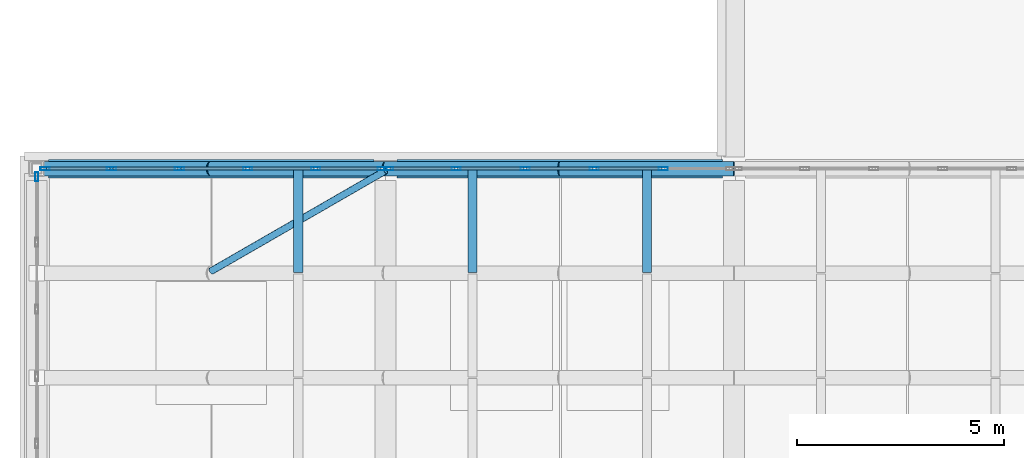
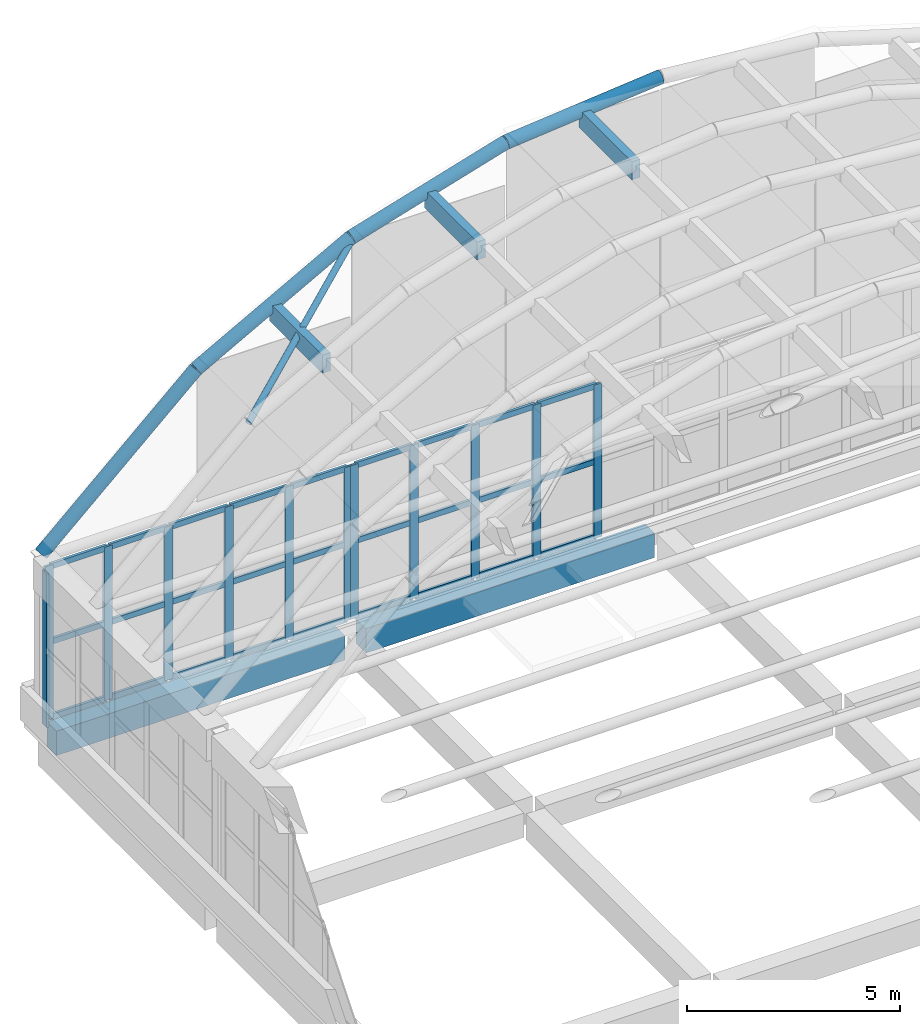
# One storey, part 15 of 26: 43 members, 6 beams, 3 elements without a shape of their own.
"""IFC4 building model written with IfcOpenShell, lengths in metres."""

from ifc_helpers import new_model, si_unit, direction, frame, origin, origin_2d, place, context, subcontext, project, spatial, rectangle, hollow_rectangle, hollow_circle, extrude, material, layer, layer_set, material_profile, profile_set, type_object, element, aggregate, save


model = new_model("IFC4")

# Units and contexts
model_context = context("Model", 3, precision=1e-05, world=origin(), true_north=direction((0.0, 1.0)))
body_context = subcontext(model_context, "Body", "Model", "MODEL_VIEW")
ifc_project = project(units=[si_unit("LENGTHUNIT", "METRE"), si_unit("AREAUNIT", "SQUARE_METRE"), si_unit("VOLUMEUNIT", "CUBIC_METRE"), si_unit("PLANEANGLEUNIT", "RADIAN"), si_unit("MASSUNIT", "GRAM", prefix="KILO")], contexts=[model_context])

# Site, building, storey
site_placement = place(None, origin())
site = spatial("IfcSite", under=ifc_project, at=site_placement, CompositionType="ELEMENT")
building_placement = place(site_placement, origin())
building = spatial("IfcBuilding", under=site, at=building_placement, Name="Xazarin Passage Department Store", CompositionType="ELEMENT")
storey_placement = place(building_placement, frame((0.0, 0.0, 36.89990234375)))
storey = spatial("IfcBuildingStorey", under=building, at=storey_placement, Name="RF", CompositionType="ELEMENT", Elevation=36.89990234375)

# Curtain wall, member
ifc_material_1 = material(Name="Bronze anodised aluminium", Category="aluminium")
ifc_layer = layer(ifc_material_1, 0.199951171875)
ifc_layer_set = layer_set([ifc_layer], Name="Bronze anodised aluminium")
curtain_wall_type = type_object("IfcCurtainWallType", Name="ARC-CW-VIT2", PredefinedType="NOTDEFINED", material=ifc_layer_set)
curtain_wall_1_placement = place(storey_placement, origin())
curtain_wall_1 = element("IfcCurtainWall", 1, at=curtain_wall_1_placement, inside=storey, type_object=curtain_wall_type, Name="RF V1 Atrium Lantern Curtain Wall 05", PredefinedType="NOTDEFINED")
ifc_material_profile_1 = material_profile(ifc_material_1, hollow_rectangle(XDim=0.074951171875, YDim=0.219970703125, WallThickness=0.0048828125, at=origin_2d()), Name="ALU 75x220")
ifc_profile_set_1 = profile_set([ifc_material_profile_1], Name="Bronze anodised aluminium")
member_type_1 = type_object("IfcMemberType", Name="ARC-CWM-75x220", PredefinedType="MULLION", material=ifc_profile_set_1)
member_1_placement = place(storey_placement, frame((0.0, 101.402587890625, 0.0), z_axis=(0.0, 0.0, 1.0), x_axis=(-1.0, 0.0, 0.0)))
member_1 = element("IfcMember", 2, at=member_1_placement, type_object=member_type_1, Name="CW2 mullion 6", PredefinedType="MULLION", context=body_context, shape_type="SweptSolid", body=[
    extrude(hollow_rectangle(XDim=0.074951171875, YDim=0.219970703125, WallThickness=0.0048828125, at=origin_2d()), origin(), (0.0, 0.0, 1.0), 4.404296875),
])
aggregate(curtain_wall_1, [member_1])

# Curtain wall, members
curtain_wall_2_placement = place(storey_placement, origin())
curtain_wall_2 = element("IfcCurtainWall", 3, at=curtain_wall_2_placement, inside=storey, type_object=curtain_wall_type, Name="RF V1 Atrium Lantern Curtain Wall 08", PredefinedType="NOTDEFINED")
member_2_placement = place(storey_placement, frame((0.197509765625, 101.60009765625, 0.0), z_axis=(0.0, 0.0, 1.0), x_axis=(0.0, 1.0, 0.0)))
member_2 = element("IfcMember", 4, at=member_2_placement, type_object=member_type_1, Name="CW2 mullion 1", PredefinedType="MULLION", context=body_context, shape_type="SweptSolid", body=[
    extrude(hollow_rectangle(XDim=0.074951171875, YDim=0.219970703125, WallThickness=0.0048828125, at=origin_2d()), origin(), (0.0, 0.0, 1.0), 4.404296875),
])
member_3_placement = place(storey_placement, frame((1.800048828125, 101.60009765625, 0.0), z_axis=(0.0, 0.0, 1.0), x_axis=(0.0, 1.0, 0.0)))
member_3 = element("IfcMember", 5, at=member_3_placement, type_object=member_type_1, Name="CW2 mullion 2", PredefinedType="MULLION", context=body_context, shape_type="SweptSolid", body=[
    extrude(hollow_rectangle(XDim=0.074951171875, YDim=0.219970703125, WallThickness=0.0048828125, at=origin_2d()), origin(), (0.0, 0.0, 1.0), 4.404296875),
])
member_4_placement = place(storey_placement, frame((3.43994140625, 101.60009765625, 0.0), z_axis=(0.0, 0.0, 1.0), x_axis=(0.0, 1.0, 0.0)))
member_4 = element("IfcMember", 6, at=member_4_placement, type_object=member_type_1, Name="CW2 mullion 3", PredefinedType="MULLION", context=body_context, shape_type="SweptSolid", body=[
    extrude(hollow_rectangle(XDim=0.074951171875, YDim=0.219970703125, WallThickness=0.0048828125, at=origin_2d()), origin(), (0.0, 0.0, 1.0), 4.404296875),
])
member_5_placement = place(storey_placement, frame((5.080078125, 101.60009765625, 0.0), z_axis=(0.0, 0.0, 1.0), x_axis=(0.0, 1.0, 0.0)))
member_5 = element("IfcMember", 7, at=member_5_placement, type_object=member_type_1, Name="CW2 mullion 4", PredefinedType="MULLION", context=body_context, shape_type="SweptSolid", body=[
    extrude(hollow_rectangle(XDim=0.074951171875, YDim=0.219970703125, WallThickness=0.0048828125, at=origin_2d()), origin(), (0.0, 0.0, 1.0), 4.404296875),
])
member_6_placement = place(storey_placement, frame((6.719970703125, 101.60009765625, 0.0), z_axis=(0.0, 0.0, 1.0), x_axis=(0.0, 1.0, 0.0)))
member_6 = element("IfcMember", 8, at=member_6_placement, type_object=member_type_1, Name="CW2 mullion 5", PredefinedType="MULLION", context=body_context, shape_type="SweptSolid", body=[
    extrude(hollow_rectangle(XDim=0.074951171875, YDim=0.219970703125, WallThickness=0.0048828125, at=origin_2d()), origin(), (0.0, 0.0, 1.0), 4.404296875),
])
member_7_placement = place(storey_placement, frame((8.322509765625, 101.60009765625, 0.0), z_axis=(0.0, 0.0, 1.0), x_axis=(0.0, 1.0, 0.0)))
member_7 = element("IfcMember", 9, at=member_7_placement, type_object=member_type_1, Name="CW2 mullion 6", PredefinedType="MULLION", context=body_context, shape_type="SweptSolid", body=[
    extrude(hollow_rectangle(XDim=0.074951171875, YDim=0.219970703125, WallThickness=0.0048828125, at=origin_2d()), origin(), (0.0, 0.0, 1.0), 4.404296875),
])

curtain_wall_3_placement = place(storey_placement, origin())
curtain_wall_3 = element("IfcCurtainWall", 10, at=curtain_wall_3_placement, inside=storey, type_object=curtain_wall_type, Name="RF V1 Atrium Lantern Curtain Wall 10", PredefinedType="NOTDEFINED")
member_8_placement = place(storey_placement, frame((8.4775390625, 101.60009765625, 0.0), z_axis=(0.0, 0.0, 1.0), x_axis=(0.0, 1.0, 0.0)))
member_8 = element("IfcMember", 11, at=member_8_placement, type_object=member_type_1, Name="CW2 mullion 1", PredefinedType="MULLION", context=body_context, shape_type="SweptSolid", body=[
    extrude(hollow_rectangle(XDim=0.074951171875, YDim=0.219970703125, WallThickness=0.0048828125, at=origin_2d()), origin(), (0.0, 0.0, 1.0), 4.404296875),
])
member_9_placement = place(storey_placement, frame((10.10400390625, 101.60009765625, 0.0), z_axis=(0.0, 0.0, 1.0), x_axis=(0.0, 1.0, 0.0)))
member_9 = element("IfcMember", 12, at=member_9_placement, type_object=member_type_1, Name="CW2 mullion 2", PredefinedType="MULLION", context=body_context, shape_type="SweptSolid", body=[
    extrude(hollow_rectangle(XDim=0.074951171875, YDim=0.219970703125, WallThickness=0.0048828125, at=origin_2d()), origin(), (0.0, 0.0, 1.0), 4.404296875),
])
member_10_placement = place(storey_placement, frame((11.76806640625, 101.60009765625, 0.0), z_axis=(0.0, 0.0, 1.0), x_axis=(0.0, 1.0, 0.0)))
member_10 = element("IfcMember", 13, at=member_10_placement, type_object=member_type_1, Name="CW2 mullion 3", PredefinedType="MULLION", context=body_context, shape_type="SweptSolid", body=[
    extrude(hollow_rectangle(XDim=0.074951171875, YDim=0.219970703125, WallThickness=0.0048828125, at=origin_2d()), origin(), (0.0, 0.0, 1.0), 4.404296875),
])
member_11_placement = place(storey_placement, frame((13.431884765625, 101.60009765625, 0.0), z_axis=(0.0, 0.0, 1.0), x_axis=(0.0, 1.0, 0.0)))
member_11 = element("IfcMember", 14, at=member_11_placement, type_object=member_type_1, Name="CW2 mullion 4", PredefinedType="MULLION", context=body_context, shape_type="SweptSolid", body=[
    extrude(hollow_rectangle(XDim=0.074951171875, YDim=0.219970703125, WallThickness=0.0048828125, at=origin_2d()), origin(), (0.0, 0.0, 1.0), 4.404296875),
])
member_12_placement = place(storey_placement, frame((15.095947265625, 101.60009765625, 0.0), z_axis=(0.0, 0.0, 1.0), x_axis=(0.0, 1.0, 0.0)))
member_12 = element("IfcMember", 15, at=member_12_placement, type_object=member_type_1, Name="CW2 mullion 5", PredefinedType="MULLION", context=body_context, shape_type="SweptSolid", body=[
    extrude(hollow_rectangle(XDim=0.074951171875, YDim=0.219970703125, WallThickness=0.0048828125, at=origin_2d()), origin(), (0.0, 0.0, 1.0), 4.404296875),
])

# Member
ifc_material_profile_2 = material_profile(ifc_material_1, hollow_rectangle(XDim=0.074951171875, YDim=0.159912109375, WallThickness=0.00439453125, at=origin_2d()), Name="ALU 75x160")
ifc_profile_set_2 = profile_set([ifc_material_profile_2], Name="Bronze anodised aluminium")
member_type_2 = type_object("IfcMemberType", Name="ARC-CWT-75x160", PredefinedType="USERDEFINED", material=ifc_profile_set_2)
member_13_placement = place(storey_placement, frame((0.235107421875, 101.60009765625, 0.03759765625), z_axis=(1.0, 0.0, 0.0), x_axis=(0.0, 1.0, 0.0)))
member_13 = element("IfcMember", 16, at=member_13_placement, type_object=member_type_2, Name="CW2 transom 1.1", ObjectType="TRANSOM", PredefinedType="USERDEFINED", context=body_context, shape_type="SweptSolid", body=[
    extrude(hollow_rectangle(XDim=0.074951171875, YDim=0.159912109375, WallThickness=0.00439453125, at=origin_2d()), origin(), (0.0, 0.0, 1.0), 1.52734375),
])

member_14_placement = place(storey_placement, frame((0.235107421875, 101.60009765625, 2.2021484375), z_axis=(1.0, 0.0, 0.0), x_axis=(0.0, 1.0, 0.0)))
member_14 = element("IfcMember", 17, at=member_14_placement, type_object=member_type_2, Name="CW2 transom 1.2", ObjectType="TRANSOM", PredefinedType="USERDEFINED", context=body_context, shape_type="SweptSolid", body=[
    extrude(hollow_rectangle(XDim=0.074951171875, YDim=0.159912109375, WallThickness=0.00439453125, at=origin_2d()), origin(), (0.0, 0.0, 1.0), 1.52734375),
])

member_15_placement = place(storey_placement, frame((0.235107421875, 101.60009765625, 4.36669921875), z_axis=(1.0, 0.0, 0.0), x_axis=(0.0, 1.0, 0.0)))
member_15 = element("IfcMember", 18, at=member_15_placement, type_object=member_type_2, Name="CW2 transom 1.3", ObjectType="TRANSOM", PredefinedType="USERDEFINED", context=body_context, shape_type="SweptSolid", body=[
    extrude(hollow_rectangle(XDim=0.074951171875, YDim=0.159912109375, WallThickness=0.00439453125, at=origin_2d()), origin(), (0.0, 0.0, 1.0), 1.52734375),
])

member_16_placement = place(storey_placement, frame((1.83740234375, 101.60009765625, 0.03759765625), z_axis=(1.0, 0.0, 0.0), x_axis=(0.0, 1.0, 0.0)))
member_16 = element("IfcMember", 19, at=member_16_placement, type_object=member_type_2, Name="CW2 transom 2.1", ObjectType="TRANSOM", PredefinedType="USERDEFINED", context=body_context, shape_type="SweptSolid", body=[
    extrude(hollow_rectangle(XDim=0.074951171875, YDim=0.159912109375, WallThickness=0.00439453125, at=origin_2d()), origin(), (0.0, 0.0, 1.0), 1.565185546875),
])

member_17_placement = place(storey_placement, frame((1.83740234375, 101.60009765625, 2.2021484375), z_axis=(1.0, 0.0, 0.0), x_axis=(0.0, 1.0, 0.0)))
member_17 = element("IfcMember", 20, at=member_17_placement, type_object=member_type_2, Name="CW2 transom 2.2", ObjectType="TRANSOM", PredefinedType="USERDEFINED", context=body_context, shape_type="SweptSolid", body=[
    extrude(hollow_rectangle(XDim=0.074951171875, YDim=0.159912109375, WallThickness=0.00439453125, at=origin_2d()), origin(), (0.0, 0.0, 1.0), 1.565185546875),
])

member_18_placement = place(storey_placement, frame((1.83740234375, 101.60009765625, 4.36669921875), z_axis=(1.0, 0.0, 0.0), x_axis=(0.0, 1.0, 0.0)))
member_18 = element("IfcMember", 21, at=member_18_placement, type_object=member_type_2, Name="CW2 transom 2.3", ObjectType="TRANSOM", PredefinedType="USERDEFINED", context=body_context, shape_type="SweptSolid", body=[
    extrude(hollow_rectangle(XDim=0.074951171875, YDim=0.159912109375, WallThickness=0.00439453125, at=origin_2d()), origin(), (0.0, 0.0, 1.0), 1.565185546875),
])

member_19_placement = place(storey_placement, frame((3.4775390625, 101.60009765625, 0.03759765625), z_axis=(1.0, 0.0, 0.0), x_axis=(0.0, 1.0, 0.0)))
member_19 = element("IfcMember", 22, at=member_19_placement, type_object=member_type_2, Name="CW2 transom 3.1", ObjectType="TRANSOM", PredefinedType="USERDEFINED", context=body_context, shape_type="SweptSolid", body=[
    extrude(hollow_rectangle(XDim=0.074951171875, YDim=0.159912109375, WallThickness=0.00439453125, at=origin_2d()), origin(), (0.0, 0.0, 1.0), 1.56494140625),
])

member_20_placement = place(storey_placement, frame((3.4775390625, 101.60009765625, 2.2021484375), z_axis=(1.0, 0.0, 0.0), x_axis=(0.0, 1.0, 0.0)))
member_20 = element("IfcMember", 23, at=member_20_placement, type_object=member_type_2, Name="CW2 transom 3.2", ObjectType="TRANSOM", PredefinedType="USERDEFINED", context=body_context, shape_type="SweptSolid", body=[
    extrude(hollow_rectangle(XDim=0.074951171875, YDim=0.159912109375, WallThickness=0.00439453125, at=origin_2d()), origin(), (0.0, 0.0, 1.0), 1.56494140625),
])

member_21_placement = place(storey_placement, frame((3.4775390625, 101.60009765625, 4.36669921875), z_axis=(1.0, 0.0, 0.0), x_axis=(0.0, 1.0, 0.0)))
member_21 = element("IfcMember", 24, at=member_21_placement, type_object=member_type_2, Name="CW2 transom 3.3", ObjectType="TRANSOM", PredefinedType="USERDEFINED", context=body_context, shape_type="SweptSolid", body=[
    extrude(hollow_rectangle(XDim=0.074951171875, YDim=0.159912109375, WallThickness=0.00439453125, at=origin_2d()), origin(), (0.0, 0.0, 1.0), 1.56494140625),
])

member_22_placement = place(storey_placement, frame((5.117431640625, 101.60009765625, 0.03759765625), z_axis=(1.0, 0.0, 0.0), x_axis=(0.0, 1.0, 0.0)))
member_22 = element("IfcMember", 25, at=member_22_placement, type_object=member_type_2, Name="CW2 transom 4.1", ObjectType="TRANSOM", PredefinedType="USERDEFINED", context=body_context, shape_type="SweptSolid", body=[
    extrude(hollow_rectangle(XDim=0.074951171875, YDim=0.159912109375, WallThickness=0.00439453125, at=origin_2d()), origin(), (0.0, 0.0, 1.0), 1.565185546875),
])

member_23_placement = place(storey_placement, frame((5.117431640625, 101.60009765625, 2.2021484375), z_axis=(1.0, 0.0, 0.0), x_axis=(0.0, 1.0, 0.0)))
member_23 = element("IfcMember", 26, at=member_23_placement, type_object=member_type_2, Name="CW2 transom 4.2", ObjectType="TRANSOM", PredefinedType="USERDEFINED", context=body_context, shape_type="SweptSolid", body=[
    extrude(hollow_rectangle(XDim=0.074951171875, YDim=0.159912109375, WallThickness=0.00439453125, at=origin_2d()), origin(), (0.0, 0.0, 1.0), 1.565185546875),
])

member_24_placement = place(storey_placement, frame((5.117431640625, 101.60009765625, 4.36669921875), z_axis=(1.0, 0.0, 0.0), x_axis=(0.0, 1.0, 0.0)))
member_24 = element("IfcMember", 27, at=member_24_placement, type_object=member_type_2, Name="CW2 transom 4.3", ObjectType="TRANSOM", PredefinedType="USERDEFINED", context=body_context, shape_type="SweptSolid", body=[
    extrude(hollow_rectangle(XDim=0.074951171875, YDim=0.159912109375, WallThickness=0.00439453125, at=origin_2d()), origin(), (0.0, 0.0, 1.0), 1.565185546875),
])

member_25_placement = place(storey_placement, frame((6.757568359375, 101.60009765625, 0.03759765625), z_axis=(1.0, 0.0, 0.0), x_axis=(0.0, 1.0, 0.0)))
member_25 = element("IfcMember", 28, at=member_25_placement, type_object=member_type_2, Name="CW2 transom 5.1", ObjectType="TRANSOM", PredefinedType="USERDEFINED", context=body_context, shape_type="SweptSolid", body=[
    extrude(hollow_rectangle(XDim=0.074951171875, YDim=0.159912109375, WallThickness=0.00439453125, at=origin_2d()), origin(), (0.0, 0.0, 1.0), 1.52734375),
])

member_26_placement = place(storey_placement, frame((6.757568359375, 101.60009765625, 2.2021484375), z_axis=(1.0, 0.0, 0.0), x_axis=(0.0, 1.0, 0.0)))
member_26 = element("IfcMember", 29, at=member_26_placement, type_object=member_type_2, Name="CW2 transom 5.2", ObjectType="TRANSOM", PredefinedType="USERDEFINED", context=body_context, shape_type="SweptSolid", body=[
    extrude(hollow_rectangle(XDim=0.074951171875, YDim=0.159912109375, WallThickness=0.00439453125, at=origin_2d()), origin(), (0.0, 0.0, 1.0), 1.52734375),
])

member_27_placement = place(storey_placement, frame((6.757568359375, 101.60009765625, 4.36669921875), z_axis=(1.0, 0.0, 0.0), x_axis=(0.0, 1.0, 0.0)))
member_27 = element("IfcMember", 30, at=member_27_placement, type_object=member_type_2, Name="CW2 transom 5.3", ObjectType="TRANSOM", PredefinedType="USERDEFINED", context=body_context, shape_type="SweptSolid", body=[
    extrude(hollow_rectangle(XDim=0.074951171875, YDim=0.159912109375, WallThickness=0.00439453125, at=origin_2d()), origin(), (0.0, 0.0, 1.0), 1.52734375),
])

aggregate(curtain_wall_2, [member_2, member_3, member_4, member_5, member_6, member_7, member_13, member_14, member_15, member_16, member_17, member_18, member_19, member_20, member_21, member_22, member_23, member_24, member_25, member_26, member_27])

member_28_placement = place(storey_placement, frame((8.514892578125, 101.60009765625, 0.03759765625), z_axis=(1.0, 0.0, 0.0), x_axis=(0.0, 1.0, 0.0)))
member_28 = element("IfcMember", 31, at=member_28_placement, type_object=member_type_2, Name="CW2 transom 1.1", ObjectType="TRANSOM", PredefinedType="USERDEFINED", context=body_context, shape_type="SweptSolid", body=[
    extrude(hollow_rectangle(XDim=0.074951171875, YDim=0.159912109375, WallThickness=0.00439453125, at=origin_2d()), origin(), (0.0, 0.0, 1.0), 1.551513671875),
])

member_29_placement = place(storey_placement, frame((8.514892578125, 101.60009765625, 2.2021484375), z_axis=(1.0, 0.0, 0.0), x_axis=(0.0, 1.0, 0.0)))
member_29 = element("IfcMember", 32, at=member_29_placement, type_object=member_type_2, Name="CW2 transom 1.2", ObjectType="TRANSOM", PredefinedType="USERDEFINED", context=body_context, shape_type="SweptSolid", body=[
    extrude(hollow_rectangle(XDim=0.074951171875, YDim=0.159912109375, WallThickness=0.00439453125, at=origin_2d()), origin(), (0.0, 0.0, 1.0), 1.551513671875),
])

member_30_placement = place(storey_placement, frame((8.514892578125, 101.60009765625, 4.36669921875), z_axis=(1.0, 0.0, 0.0), x_axis=(0.0, 1.0, 0.0)))
member_30 = element("IfcMember", 33, at=member_30_placement, type_object=member_type_2, Name="CW2 transom 1.3", ObjectType="TRANSOM", PredefinedType="USERDEFINED", context=body_context, shape_type="SweptSolid", body=[
    extrude(hollow_rectangle(XDim=0.074951171875, YDim=0.159912109375, WallThickness=0.00439453125, at=origin_2d()), origin(), (0.0, 0.0, 1.0), 1.551513671875),
])

member_31_placement = place(storey_placement, frame((10.1416015625, 101.60009765625, 0.03759765625), z_axis=(1.0, 0.0, 0.0), x_axis=(0.0, 1.0, 0.0)))
member_31 = element("IfcMember", 34, at=member_31_placement, type_object=member_type_2, Name="CW2 transom 2.1", ObjectType="TRANSOM", PredefinedType="USERDEFINED", context=body_context, shape_type="SweptSolid", body=[
    extrude(hollow_rectangle(XDim=0.074951171875, YDim=0.159912109375, WallThickness=0.00439453125, at=origin_2d()), origin(), (0.0, 0.0, 1.0), 1.5888671875),
])

member_32_placement = place(storey_placement, frame((10.1416015625, 101.60009765625, 2.2021484375), z_axis=(1.0, 0.0, 0.0), x_axis=(0.0, 1.0, 0.0)))
member_32 = element("IfcMember", 35, at=member_32_placement, type_object=member_type_2, Name="CW2 transom 2.2", ObjectType="TRANSOM", PredefinedType="USERDEFINED", context=body_context, shape_type="SweptSolid", body=[
    extrude(hollow_rectangle(XDim=0.074951171875, YDim=0.159912109375, WallThickness=0.00439453125, at=origin_2d()), origin(), (0.0, 0.0, 1.0), 1.5888671875),
])

member_33_placement = place(storey_placement, frame((10.1416015625, 101.60009765625, 4.36669921875), z_axis=(1.0, 0.0, 0.0), x_axis=(0.0, 1.0, 0.0)))
member_33 = element("IfcMember", 36, at=member_33_placement, type_object=member_type_2, Name="CW2 transom 2.3", ObjectType="TRANSOM", PredefinedType="USERDEFINED", context=body_context, shape_type="SweptSolid", body=[
    extrude(hollow_rectangle(XDim=0.074951171875, YDim=0.159912109375, WallThickness=0.00439453125, at=origin_2d()), origin(), (0.0, 0.0, 1.0), 1.5888671875),
])

member_34_placement = place(storey_placement, frame((11.805419921875, 101.60009765625, 0.03759765625), z_axis=(1.0, 0.0, 0.0), x_axis=(0.0, 1.0, 0.0)))
member_34 = element("IfcMember", 37, at=member_34_placement, type_object=member_type_2, Name="CW2 transom 3.1", ObjectType="TRANSOM", PredefinedType="USERDEFINED", context=body_context, shape_type="SweptSolid", body=[
    extrude(hollow_rectangle(XDim=0.074951171875, YDim=0.159912109375, WallThickness=0.00439453125, at=origin_2d()), origin(), (0.0, 0.0, 1.0), 1.589111328125),
])

member_35_placement = place(storey_placement, frame((11.805419921875, 101.60009765625, 2.2021484375), z_axis=(1.0, 0.0, 0.0), x_axis=(0.0, 1.0, 0.0)))
member_35 = element("IfcMember", 38, at=member_35_placement, type_object=member_type_2, Name="CW2 transom 3.2", ObjectType="TRANSOM", PredefinedType="USERDEFINED", context=body_context, shape_type="SweptSolid", body=[
    extrude(hollow_rectangle(XDim=0.074951171875, YDim=0.159912109375, WallThickness=0.00439453125, at=origin_2d()), origin(), (0.0, 0.0, 1.0), 1.589111328125),
])

member_36_placement = place(storey_placement, frame((11.805419921875, 101.60009765625, 4.36669921875), z_axis=(1.0, 0.0, 0.0), x_axis=(0.0, 1.0, 0.0)))
member_36 = element("IfcMember", 39, at=member_36_placement, type_object=member_type_2, Name="CW2 transom 3.3", ObjectType="TRANSOM", PredefinedType="USERDEFINED", context=body_context, shape_type="SweptSolid", body=[
    extrude(hollow_rectangle(XDim=0.074951171875, YDim=0.159912109375, WallThickness=0.00439453125, at=origin_2d()), origin(), (0.0, 0.0, 1.0), 1.589111328125),
])

member_37_placement = place(storey_placement, frame((13.469482421875, 101.60009765625, 0.03759765625), z_axis=(1.0, 0.0, 0.0), x_axis=(0.0, 1.0, 0.0)))
member_37 = element("IfcMember", 40, at=member_37_placement, type_object=member_type_2, Name="CW2 transom 4.1", ObjectType="TRANSOM", PredefinedType="USERDEFINED", context=body_context, shape_type="SweptSolid", body=[
    extrude(hollow_rectangle(XDim=0.074951171875, YDim=0.159912109375, WallThickness=0.00439453125, at=origin_2d()), origin(), (0.0, 0.0, 1.0), 1.589111328125),
])

member_38_placement = place(storey_placement, frame((13.469482421875, 101.60009765625, 2.2021484375), z_axis=(1.0, 0.0, 0.0), x_axis=(0.0, 1.0, 0.0)))
member_38 = element("IfcMember", 41, at=member_38_placement, type_object=member_type_2, Name="CW2 transom 4.2", ObjectType="TRANSOM", PredefinedType="USERDEFINED", context=body_context, shape_type="SweptSolid", body=[
    extrude(hollow_rectangle(XDim=0.074951171875, YDim=0.159912109375, WallThickness=0.00439453125, at=origin_2d()), origin(), (0.0, 0.0, 1.0), 1.589111328125),
])

member_39_placement = place(storey_placement, frame((13.469482421875, 101.60009765625, 4.36669921875), z_axis=(1.0, 0.0, 0.0), x_axis=(0.0, 1.0, 0.0)))
member_39 = element("IfcMember", 42, at=member_39_placement, type_object=member_type_2, Name="CW2 transom 4.3", ObjectType="TRANSOM", PredefinedType="USERDEFINED", context=body_context, shape_type="SweptSolid", body=[
    extrude(hollow_rectangle(XDim=0.074951171875, YDim=0.159912109375, WallThickness=0.00439453125, at=origin_2d()), origin(), (0.0, 0.0, 1.0), 1.589111328125),
])

aggregate(curtain_wall_3, [member_8, member_9, member_10, member_11, member_12, member_28, member_29, member_30, member_31, member_32, member_33, member_34, member_35, member_36, member_37, member_38, member_39])

# Beams
ifc_material_2 = material(Name="Steel S355", Category="steel")
ifc_material_profile_3 = material_profile(ifc_material_2, hollow_circle(Radius=0.177734375, WallThickness=0.01611328125, at=origin_2d()), Name="CHS 355.6x16")
ifc_profile_set_3 = profile_set([ifc_material_profile_3], Name="Steel S355")
beam_type_1 = type_object("IfcBeamType", Name="STR-BM-AR355", PredefinedType="BEAM", material=ifc_profile_set_3)
beam_1_placement = place(storey_placement, frame((0.0, 101.60009765625, 4.80419921875), z_axis=(0.738872189824, 0.0, 0.673845595893), x_axis=(0.0, 1.0, 0.0)))
element("IfcBeam", 43, at=beam_1_placement, inside=storey, type_object=beam_type_1, Name="V1V Primary Arch Rib 11.1", PredefinedType="BEAM", context=body_context, shape_type="SweptSolid", body=[
    extrude(hollow_circle(Radius=0.177734375, WallThickness=0.01611328125, at=origin_2d()), origin(), (0.0, 0.0, 1.0), 5.684326171875),
])
beam_2_placement = place(storey_placement, frame((4.199951171875, 101.60009765625, 8.634521484375), z_axis=(0.877197007336, 0.0, 0.480130617978), x_axis=(0.0, 1.0, 0.0)))
element("IfcBeam", 44, at=beam_2_placement, inside=storey, type_object=beam_type_1, Name="V1V Primary Arch Rib 11.2", PredefinedType="BEAM", context=body_context, shape_type="SweptSolid", body=[
    extrude(hollow_circle(Radius=0.177734375, WallThickness=0.01611328125, at=origin_2d()), origin(), (0.0, 0.0, 1.0), 4.787841796875),
])
beam_3_placement = place(storey_placement, frame((8.39990234375, 101.60009765625, 10.933349609375), z_axis=(0.95770669563, 0.0, 0.287746216561), x_axis=(0.0, 1.0, 0.0)))
element("IfcBeam", 45, at=beam_3_placement, inside=storey, type_object=beam_type_1, Name="V1V Primary Arch Rib 11.3", PredefinedType="BEAM", context=body_context, shape_type="SweptSolid", body=[
    extrude(hollow_circle(Radius=0.177734375, WallThickness=0.01611328125, at=origin_2d()), origin(), (0.0, 0.0, 1.0), 4.3857421875),
])
beam_4_placement = place(storey_placement, frame((12.60009765625, 101.60009765625, 12.1953125), z_axis=(0.995387696044, 0.0, 0.095934011512), x_axis=(0.0, 1.0, 0.0)))
element("IfcBeam", 46, at=beam_4_placement, inside=storey, type_object=beam_type_1, Name="V1V Primary Arch Rib 11.4", PredefinedType="BEAM", context=body_context, shape_type="SweptSolid", body=[
    extrude(hollow_circle(Radius=0.177734375, WallThickness=0.01611328125, at=origin_2d()), origin(), (0.0, 0.0, 1.0), 4.219482421875),
])
ifc_material_3 = material(Name="Concrete C35/45", Category="concrete")
ifc_material_profile_4 = material_profile(ifc_material_3, rectangle(XDim=0.449951171875, YDim=0.699951171875, at=origin_2d()), Name="RC 450x700")
ifc_profile_set_4 = profile_set([ifc_material_profile_4], Name="Concrete C35/45")
beam_type_2 = type_object("IfcBeamType", Name="STR-BM-G450x700", PredefinedType="BEAM", material=ifc_profile_set_4)
for number, where, z_axis, x_axis, name in (
    (47, (0.280029296875, 101.60009765625, -0.60986328125), (1.0, 0.0, 0.0), (0.0, 1.0, 0.0), "RF Grid Beam P/1-2"),
    (48, (8.679931640625, 101.60009765625, -0.60986328125), (1.0, 0.0, 0.0), (0.0, 1.0, 0.0), "RF Grid Beam P/2-3"),
):
    element("IfcBeam", number, at=place(storey_placement, frame(where, z_axis=z_axis, x_axis=x_axis)), inside=storey, type_object=beam_type_2, Name=name, PredefinedType="BEAM", context=body_context, shape_type="SweptSolid", body=[
        extrude(rectangle(XDim=0.449951171875, YDim=0.699951171875, at=origin_2d()), origin(), (0.0, 0.0, 1.0), 7.840087890625),
    ])

# Members
ifc_material_profile_5 = material_profile(ifc_material_2, hollow_circle(Radius=0.084228515625, WallThickness=0.010009765625, at=origin_2d()), Name="CHS 168.3x10")
ifc_profile_set_5 = profile_set([ifc_material_profile_5], Name="Steel S355")
member_type_3 = type_object("IfcMemberType", Name="STR-MEM-BR168", PredefinedType="BRACE", material=ifc_profile_set_5)
member_40_placement = place(storey_placement, frame((4.199951171875, 99.1298828125, 8.58447265625), z_axis=(0.782867479074, 0.451116974949, 0.428499690923), x_axis=(-0.499276194257, 0.866442890125, 0.0)))
element("IfcMember", 49, at=member_40_placement, inside=storey, type_object=member_type_3, Name="V1V Gridshell Diagonal Brace 10.1", PredefinedType="BRACE", context=body_context, shape_type="SweptSolid", body=[
    extrude(hollow_circle(Radius=0.084228515625, WallThickness=0.010009765625, at=origin_2d()), origin(), (0.0, 0.0, 1.0), 5.36474609375),
])
ifc_material_4 = material(Name="Glulam GL28h", Category="wood")
ifc_material_profile_6 = material_profile(ifc_material_4, rectangle(XDim=0.219970703125, YDim=0.52001953125, at=origin_2d()), Name="GL28h 220x520")
ifc_profile_set_6 = profile_set([ifc_material_profile_6], Name="Glulam GL28h")
member_type_4 = type_object("IfcMemberType", Name="STR-MEM-GL520", PredefinedType="PURLIN", material=ifc_profile_set_6)
for number, where, z_axis, x_axis, name in (
    (50, (6.300048828125, 99.10009765625, 9.581787109375), (0.0, 1.0, 0.0), (-1.0, 0.0, 0.0), "V1V Glulam Gridshell Purlin 10.2"),
    (51, (10.5, 99.10009765625, 11.3623046875), (0.0, 1.0, 0.0), (-1.0, 0.0, 0.0), "V1V Glulam Gridshell Purlin 10.3"),
    (52, (14.699951171875, 99.10009765625, 12.195556640625), (0.0, 1.0, 0.0), (-1.0, 0.0, 0.0), "V1V Glulam Gridshell Purlin 10.4"),
):
    element("IfcMember", number, at=place(storey_placement, frame(where, z_axis=z_axis, x_axis=x_axis)), inside=storey, type_object=member_type_4, Name=name, PredefinedType="PURLIN", context=body_context, shape_type="SweptSolid", body=[
        extrude(rectangle(XDim=0.219970703125, YDim=0.52001953125, at=origin_2d()), origin(), (0.0, 0.0, 1.0), 2.47998046875),
    ])

save(model, "model.ifc")
